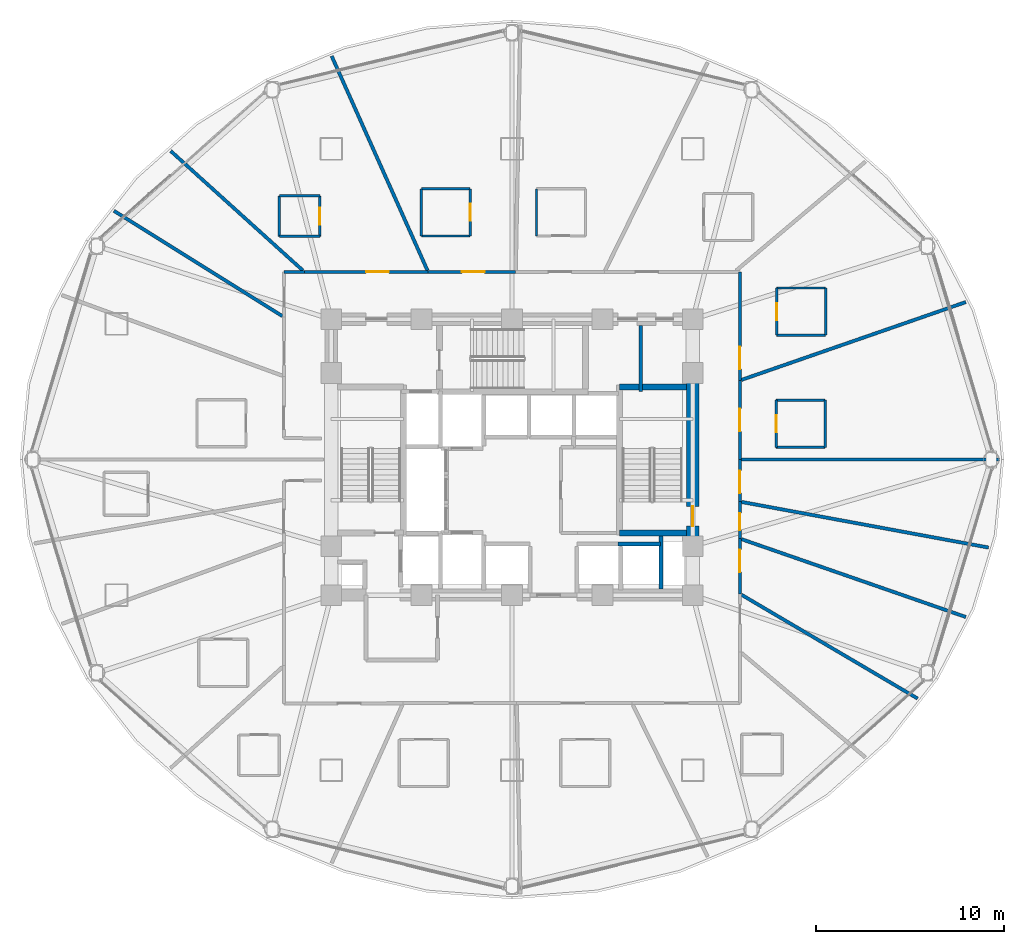
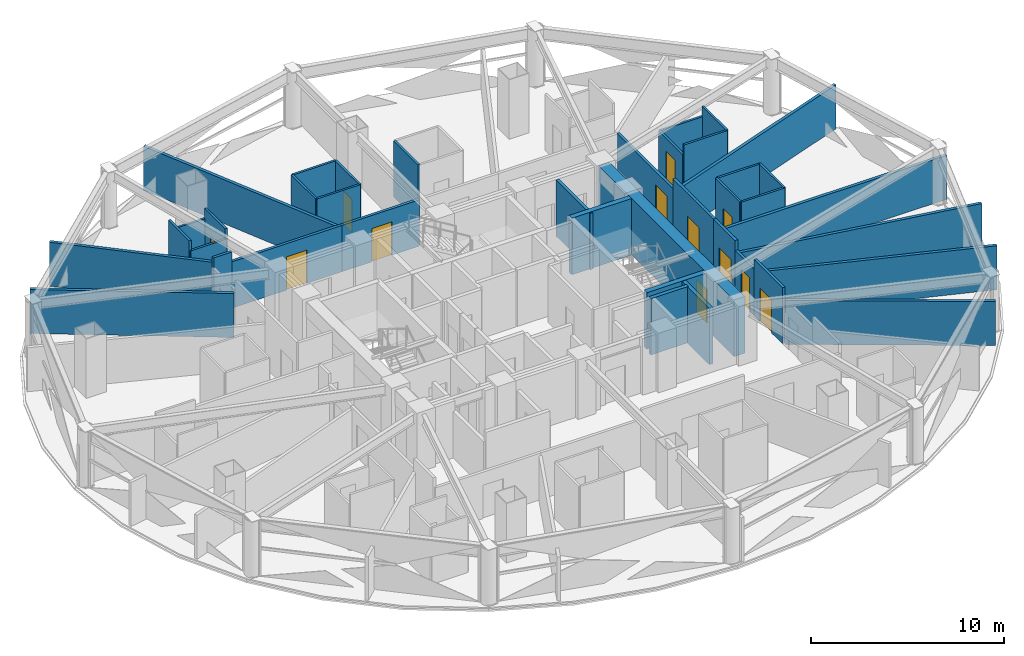
# One storey, part 26 of 31: 39 walls, 12 doors, 12 openings.
"""IFC4 building model written with IfcOpenShell, lengths in metres."""

import ifcopenshell
import ifcopenshell.guid

model = None  # the IFC model being written
_history = None  # IfcOwnerHistory: only IFC2X3 demands one
_inside = {}  # id of a spatial element -> (the spatial element, [elements in it])
_under = {}  # id of a project, library or spatial element -> (it, [spatial elements below it])
_declared = {}  # id of a project -> (the project, [libraries it declares])
_typed = {}  # id of a type object -> (the type object, [elements of that type])
_made_of = {}  # id of a material, layer set ... -> (it, [elements and type objects made of it])


def new_model(schema):
    """Start an empty IFC model of exactly this schema.

    Asked for "IFC4X3", IfcOpenShell would pick the latest addendum, in which some entities
    have other attributes; the version numbers below select the first issue.
    IFC2X3 requires an IfcOwnerHistory on every rooted entity: one is made here for all.
    """
    global model, _history
    if schema == "IFC4X3":
        model = ifcopenshell.file(schema_version=(4, 3, 0, 0))
    else:
        model = ifcopenshell.file(schema=schema)
    _inside.clear()
    _under.clear()
    _declared.clear()
    _typed.clear()
    _made_of.clear()
    _history = None
    if model.schema == "IFC2X3":
        org = make("IfcOrganization", Name="unknown")
        user = make(
            "IfcPersonAndOrganization",
            ThePerson=make("IfcPerson", FamilyName="unknown"),
            TheOrganization=org,
        )
        app = make(
            "IfcApplication",
            ApplicationDeveloper=org,
            Version="unknown",
            ApplicationFullName="unknown",
            ApplicationIdentifier="unknown",
        )
        _history = make(
            "IfcOwnerHistory",
            OwningUser=user,
            OwningApplication=app,
            ChangeAction="ADDED",
            CreationDate=0,
        )
    return model


def make(cls, **values):
    """One entity of the class cls with the attributes given. An attribute that is None is left unset."""
    return model.create_entity(
        cls, **{name: value for name, value in values.items() if value is not None}
    )


def rooted(cls, **values):
    """An entity with a GlobalId (a new one), such as an element, a storey or a relation."""
    return make(cls, GlobalId=ifcopenshell.guid.new(), OwnerHistory=_history, **values)


def si_unit(unit_type, name, prefix=None):
    """IfcSIUnit, for example si_unit("LENGTHUNIT", "METRE", prefix="MILLI")."""
    return make("IfcSIUnit", UnitType=unit_type, Prefix=prefix, Name=name)


def assignment(units):
    """IfcUnitAssignment: the units of a project."""
    return None if units is None else make("IfcUnitAssignment", Units=units)


def point(xyz):
    """IfcCartesianPoint."""
    return None if xyz is None else make("IfcCartesianPoint", Coordinates=xyz)


def direction(xyz):
    """IfcDirection."""
    return None if xyz is None else make("IfcDirection", DirectionRatios=xyz)


def frame(location, z_axis=None, x_axis=None):
    """IfcAxis2Placement3D, a coordinate frame: its origin and axes. An axis left out is left unset."""
    return make(
        "IfcAxis2Placement3D",
        Location=point(location),
        Axis=direction(z_axis),
        RefDirection=direction(x_axis),
    )


def frame_2d(location, x_axis=None):
    """IfcAxis2Placement2D, a coordinate frame in the plane: its origin and x axis."""
    return make(
        "IfcAxis2Placement2D", Location=point(location), RefDirection=direction(x_axis)
    )


def origin():
    """The frame at (0, 0, 0) with its axes left unset."""
    return frame((0.0, 0.0, 0.0))


def place(relative_to, where):
    """IfcLocalPlacement: puts the frame where relative to a parent placement (None: the world)."""
    return make(
        "IfcLocalPlacement", PlacementRelTo=relative_to, RelativePlacement=where
    )


def context(
    kind, dimensions, precision=None, world=None, true_north=None, identifier=None
):
    """IfcGeometricRepresentationContext, for example the 3D "Model" context."""
    return make(
        "IfcGeometricRepresentationContext",
        ContextIdentifier=identifier,
        ContextType=kind,
        CoordinateSpaceDimension=dimensions,
        Precision=precision,
        WorldCoordinateSystem=world,
        TrueNorth=true_north,
    )


def subcontext(parent, identifier, kind, view, scale=None):
    """IfcGeometricRepresentationSubContext, for example "Body" below "Model"."""
    return make(
        "IfcGeometricRepresentationSubContext",
        ContextIdentifier=identifier,
        ContextType=kind,
        ParentContext=parent,
        TargetScale=scale,
        TargetView=view,
    )


def project(units=None, contexts=None):
    """IfcProject with its units and contexts."""
    return rooted(
        "IfcProject",
        Name="project",
        RepresentationContexts=contexts,
        UnitsInContext=assignment(units),
    )


def spatial(cls, under=None, at=None, **own):
    """A site, building, storey or space (cls), placed at a placement, below another one or the project."""
    s = rooted(cls, ObjectPlacement=at, **own)
    if under is not None:
        _under.setdefault(under.id(), (under, []))[1].append(s)
    return s


def profile(cls, at=None, kind="AREA", **sizes):
    """A parametric profile (cls). Its sizes go by their IFC names, for example OverallWidth=200.0."""
    return make(cls, ProfileType=kind, Position=at, **sizes)


def rectangle(**sizes):
    """IfcRectangleProfileDef."""
    return profile("IfcRectangleProfileDef", **sizes)


def extrude(swept, where, along, depth):
    """IfcExtrudedAreaSolid: the profile swept, set in the frame where, extruded along a direction by depth."""
    return make(
        "IfcExtrudedAreaSolid",
        SweptArea=swept,
        Position=where,
        ExtrudedDirection=direction(along),
        Depth=depth,
    )


def shape(context_of_items, identifier, shape_type, items):
    """IfcShapeRepresentation: the items that make up one representation, for example the "Body"."""
    return make(
        "IfcShapeRepresentation",
        ContextOfItems=context_of_items,
        RepresentationIdentifier=identifier,
        RepresentationType=shape_type,
        Items=items,
    )


def material(Name=None, Category=None):
    """IfcMaterial."""
    return make("IfcMaterial", Name=Name, Category=Category)


def layer(
    of_material, thickness, ventilated=None, Name=None, Category=None, Priority=None
):
    """IfcMaterialLayer: one layer of a wall or slab, of a material (None: an air gap)."""
    return make(
        "IfcMaterialLayer",
        Material=of_material,
        LayerThickness=thickness,
        IsVentilated=ventilated,
        Name=Name,
        Category=Category,
        Priority=Priority,
    )


def layer_set(layers, Name=None):
    """IfcMaterialLayerSet."""
    return make("IfcMaterialLayerSet", MaterialLayers=layers, LayerSetName=Name)


def made_of(thing, what):
    """Note that an element or type object is made of a material, layer set ...; save() writes the relation."""
    if what is not None:
        _made_of.setdefault(what.id(), (what, []))[1].append(thing)
    return thing


def type_object(cls, material=None, **own):
    """A type object (cls), such as IfcWallType, which elements share."""
    return made_of(rooted(cls, **own), material)


def element(
    cls,
    number,
    at=None,
    inside=None,
    cuts=None,
    type_object=None,
    material=None,
    context=None,
    identifier="Body",
    shape_type=None,
    held_by="IfcProductDefinitionShape",
    body=None,
    shapes=None,
    **own,
):
    """One element of the class cls, such as IfcWall. Its Tag is "e" and its number.

    at: its placement. inside: the storey or other place that contains it. cuts: it is an
    opening in that element (IfcRelVoidsElement). A single representation is given by context,
    identifier, shape_type and body (its items); several are given by shapes. held_by: the class
    of the entity that holds the representations. save() writes the other relations.
    """
    e = rooted(cls, Tag="e%d" % number, ObjectPlacement=at, **own)
    if body is not None:
        shapes = [shape(context, identifier, shape_type, body)]
    if shapes is not None:
        e.Representation = make(held_by, Representations=shapes)
    if inside is not None:
        _inside.setdefault(inside.id(), (inside, []))[1].append(e)
    if cuts is not None:
        rooted(
            "IfcRelVoidsElement", RelatingBuildingElement=cuts, RelatedOpeningElement=e
        )
    if type_object is not None:
        _typed.setdefault(type_object.id(), (type_object, []))[1].append(e)
    return made_of(e, material)


def fill(opening, filler):
    """IfcRelFillsElement: the door or window that sits in an opening."""
    return rooted(
        "IfcRelFillsElement",
        RelatingOpeningElement=opening,
        RelatedBuildingElement=filler,
    )


def aggregate(whole, parts):
    """IfcRelAggregates: a whole, such as a stair, and the parts it consists of."""
    return rooted("IfcRelAggregates", RelatingObject=whole, RelatedObjects=parts)


def save(model, path):
    """Write the relations noted so far, then the file.

    IfcRelAggregates (storeys below a building ...), IfcRelContainedInSpatialStructure (elements
    in a storey), IfcRelDefinesByType, IfcRelAssociatesMaterial and IfcRelDeclares: one each for
    every whole, place, type object, material and project.
    """
    for whole, parts in _under.values():
        aggregate(whole, parts)
    for where, things in _inside.values():
        rooted(
            "IfcRelContainedInSpatialStructure",
            RelatedElements=things,
            RelatingStructure=where,
        )
    for kind, things in _typed.values():
        rooted("IfcRelDefinesByType", RelatedObjects=things, RelatingType=kind)
    for what, things in _made_of.values():
        rooted("IfcRelAssociatesMaterial", RelatedObjects=things, RelatingMaterial=what)
    for by, libraries in _declared.values():
        rooted("IfcRelDeclares", RelatingContext=by, RelatedDefinitions=libraries)
    model.write(path)


model = new_model("IFC4")

# Units and contexts
model_context = context("Model", 3, precision=1e-05, world=origin(), true_north=direction((0.0, 1.0)))
body_context = subcontext(model_context, "Body", "Model", "MODEL_VIEW")
ifc_project = project(units=[si_unit("LENGTHUNIT", "METRE"), si_unit("AREAUNIT", "SQUARE_METRE"), si_unit("VOLUMEUNIT", "CUBIC_METRE"), si_unit("PLANEANGLEUNIT", "RADIAN"), si_unit("MASSUNIT", "GRAM", prefix="KILO")], contexts=[model_context])

# Site, building, storey
site_placement = place(None, origin())
site = spatial("IfcSite", under=ifc_project, at=site_placement, CompositionType="ELEMENT")
building_placement = place(site_placement, origin())
building = spatial("IfcBuilding", under=site, at=building_placement, Name="Vantalir Tower", CompositionType="ELEMENT")
storey_placement = place(building_placement, frame((0.0, 0.0, 30.75)))
storey = spatial("IfcBuildingStorey", under=building, at=storey_placement, Name="L06", CompositionType="ELEMENT", Elevation=30.75)

# Walls
ifc_material_1 = material(Name="Moisture-resistant en-suite partition", Category="gypsum")
ifc_layer_1 = layer(ifc_material_1, 0.125)
ifc_layer_set_1 = layer_set([ifc_layer_1], Name="Moisture-resistant en-suite partition")
wall_type_1 = type_object("IfcWallType", Name="WL-BATH-125", PredefinedType="PARTITIONING", material=ifc_layer_set_1)
for number, where, z_axis, x_axis, name in (
    (1, (45.527099609375, 25.652099609375, 0.0), (0.0, 0.0, 1.0), (1.0, 0.0, 0.0), "L06 En-suite 01 South Wall"),
    (2, (45.527099609375, 28.152099609375, 0.0), (0.0, 0.0, 1.0), (1.0, 0.0, 0.0), "L06 En-suite 01 North Wall"),
):
    element("IfcWall", number, at=place(storey_placement, frame(where, z_axis=z_axis, x_axis=x_axis)), inside=storey, type_object=wall_type_1, Name=name, PredefinedType="PARTITIONING", context=body_context, shape_type="SweptSolid", body=[
        extrude(rectangle(XDim=2.599853515625, YDim=0.125, at=frame_2d((1.2998046875, 0.0))), origin(), (0.0, 0.0, 1.0), 3.550048828125),
    ])

# Wall, opening, door
wall_1_placement = place(storey_placement, frame((45.527099609375, 25.652099609375, 0.0), z_axis=(0.0, 0.0, 1.0), x_axis=(0.0, 1.0, 0.0)))
wall_1 = element("IfcWall", 3, at=wall_1_placement, inside=storey, type_object=wall_type_1, Name="L06 En-suite 01 West Wall", PredefinedType="PARTITIONING", context=body_context, shape_type="SweptSolid", body=[
    extrude(rectangle(XDim=2.5, YDim=0.125, at=frame_2d((1.25, 0.0))), origin(), (0.0, 0.0, 1.0), 3.550048828125),
])
opening_1_placement = place(wall_1_placement, frame((0.800048828125, 0.0, 0.0)))
opening_1 = element("IfcOpeningElement", 4, at=opening_1_placement, cuts=wall_1, Name="Opening D-WC", PredefinedType="OPENING", context=body_context, shape_type="SweptSolid", body=[
    extrude(rectangle(XDim=0.89990234375, YDim=2.10009765625, at=frame_2d((0.449951171875, 1.050048828125))), frame((0.0, 0.072509765625, 0.0), z_axis=(0.0, -1.0, 0.0), x_axis=(1.0, 0.0, 0.0)), (0.0, 0.0, 1.0), 0.14501953125),
])
ifc_material_2 = material(Name="Moisture-resistant hardwood door", Category="wood")
door_type_1 = type_object("IfcDoorType", Name="DR-ENSUITE-900", OperationType="NOTDEFINED", PredefinedType="DOOR", material=ifc_material_2)
door_1_placement = place(opening_1_placement, frame((0.89990234375, 0.0, 0.0), z_axis=(0.0, 0.0, 1.0), x_axis=(-1.0, 0.0, 0.0)))
door_1 = element("IfcDoor", 5, at=door_1_placement, inside=storey, type_object=door_type_1, Name="L06 En-suite 01 Door", OperationType="SINGLE_SWING_RIGHT", OverallHeight=2.10009765625, OverallWidth=0.89990234375, PredefinedType="DOOR", context=body_context, shape_type="SweptSolid", body=[
    extrude(rectangle(XDim=0.89990234375, YDim=2.10009765625, at=frame_2d((0.449951171875, 1.050048828125))), frame((0.0, 0.02490234375, 0.0), z_axis=(0.0, -1.0, 0.0), x_axis=(1.0, 0.0, 0.0)), (0.0, 0.0, 1.0), 0.050048828125),
])
fill(opening_1, door_1)

# Walls
wall_2_placement = place(storey_placement, frame((48.126953125, 25.652099609375, 0.0), z_axis=(0.0, 0.0, 1.0), x_axis=(0.0, 1.0, 0.0)))
element("IfcWall", 6, at=wall_2_placement, inside=storey, type_object=wall_type_1, Name="L06 En-suite 01 East Wall", PredefinedType="PARTITIONING", context=body_context, shape_type="SweptSolid", body=[
    extrude(rectangle(XDim=2.5, YDim=0.125, at=frame_2d((1.25, 0.0))), origin(), (0.0, 0.0, 1.0), 3.550048828125),
])
wall_3_placement = place(storey_placement, frame((45.552978515625, 31.60693359375, 0.0), z_axis=(0.0, 0.0, 1.0), x_axis=(1.0, 0.0, 0.0)))
element("IfcWall", 7, at=wall_3_placement, inside=storey, type_object=wall_type_1, Name="L06 En-suite 02 South Wall", PredefinedType="PARTITIONING", context=body_context, shape_type="SweptSolid", body=[
    extrude(rectangle(XDim=2.60009765625, YDim=0.125, at=frame_2d((1.300048828125, 0.0))), origin(), (0.0, 0.0, 1.0), 3.550048828125),
])
wall_4_placement = place(storey_placement, frame((45.552978515625, 34.10693359375, 0.0), z_axis=(0.0, 0.0, 1.0), x_axis=(1.0, 0.0, 0.0)))
element("IfcWall", 8, at=wall_4_placement, inside=storey, type_object=wall_type_1, Name="L06 En-suite 02 North Wall", PredefinedType="PARTITIONING", context=body_context, shape_type="SweptSolid", body=[
    extrude(rectangle(XDim=2.60009765625, YDim=0.125, at=frame_2d((1.300048828125, 0.0))), origin(), (0.0, 0.0, 1.0), 2.927978515625),
])

# Wall, opening, door
wall_5_placement = place(storey_placement, frame((45.552978515625, 31.60693359375, 0.0), z_axis=(0.0, 0.0, 1.0), x_axis=(0.0, 1.0, 0.0)))
wall_5 = element("IfcWall", 9, at=wall_5_placement, inside=storey, type_object=wall_type_1, Name="L06 En-suite 02 West Wall", PredefinedType="PARTITIONING", context=body_context, shape_type="SweptSolid", body=[
    extrude(rectangle(XDim=2.5, YDim=0.125, at=frame_2d((1.25, 0.0))), origin(), (0.0, 0.0, 1.0), 2.927978515625),
])
opening_2_placement = place(wall_5_placement, frame((0.800048828125, 0.0, 0.0)))
opening_2 = element("IfcOpeningElement", 10, at=opening_2_placement, cuts=wall_5, Name="Opening D-WC", PredefinedType="OPENING", context=body_context, shape_type="SweptSolid", body=[
    extrude(rectangle(XDim=0.89990234375, YDim=2.10009765625, at=frame_2d((0.449951171875, 1.050048828125))), frame((0.0, 0.072509765625, 0.0), z_axis=(0.0, -1.0, 0.0), x_axis=(1.0, 0.0, 0.0)), (0.0, 0.0, 1.0), 0.14501953125),
])
door_2_placement = place(opening_2_placement, frame((0.89990234375, 0.0, 0.0), z_axis=(0.0, 0.0, 1.0), x_axis=(-1.0, 0.0, 0.0)))
door_2 = element("IfcDoor", 11, at=door_2_placement, inside=storey, type_object=door_type_1, Name="L06 En-suite 02 Door", OperationType="SINGLE_SWING_LEFT", OverallHeight=2.10009765625, OverallWidth=0.89990234375, PredefinedType="DOOR", context=body_context, shape_type="SweptSolid", body=[
    extrude(rectangle(XDim=0.89990234375, YDim=2.10009765625, at=frame_2d((0.449951171875, 1.050048828125))), frame((0.0, 0.02490234375, 0.0), z_axis=(0.0, -1.0, 0.0), x_axis=(1.0, 0.0, 0.0)), (0.0, 0.0, 1.0), 0.050048828125),
])
fill(opening_2, door_2)

# Walls
for number, where, z_axis, x_axis, name in (
    (12, (48.153076171875, 31.60693359375, 0.0), (0.0, 0.0, 1.0), (0.0, 1.0, 0.0), "L06 En-suite 02 East Wall"),
    (13, (32.800048828125, 36.8720703125, 0.0), (0.0, 0.0, 1.0), (0.0, 1.0, 0.0), "L06 En-suite 04 West Wall"),
):
    element("IfcWall", number, at=place(storey_placement, frame(where, z_axis=z_axis, x_axis=x_axis)), inside=storey, type_object=wall_type_1, Name=name, PredefinedType="PARTITIONING", context=body_context, shape_type="SweptSolid", body=[
        extrude(rectangle(XDim=2.5, YDim=0.125, at=frame_2d((1.25, 0.0))), origin(), (0.0, 0.0, 1.0), 3.550048828125),
    ])
for number, where, z_axis, x_axis, name in (
    (14, (26.68310546875, 36.8720703125, 0.0), (0.0, 0.0, 1.0), (1.0, 0.0, 0.0), "L06 En-suite 05 South Wall"),
    (15, (26.68310546875, 39.3720703125, 0.0), (0.0, 0.0, 1.0), (1.0, 0.0, 0.0), "L06 En-suite 05 North Wall"),
):
    element("IfcWall", number, at=place(storey_placement, frame(where, z_axis=z_axis, x_axis=x_axis)), inside=storey, type_object=wall_type_1, Name=name, PredefinedType="PARTITIONING", context=body_context, shape_type="SweptSolid", body=[
        extrude(rectangle(XDim=2.599853515625, YDim=0.125, at=frame_2d((1.2998046875, 0.0))), origin(), (0.0, 0.0, 1.0), 3.550048828125),
    ])
wall_6_placement = place(storey_placement, frame((26.68310546875, 36.8720703125, 0.0), z_axis=(0.0, 0.0, 1.0), x_axis=(0.0, 1.0, 0.0)))
element("IfcWall", 16, at=wall_6_placement, inside=storey, type_object=wall_type_1, Name="L06 En-suite 05 West Wall", PredefinedType="PARTITIONING", context=body_context, shape_type="SweptSolid", body=[
    extrude(rectangle(XDim=2.5, YDim=0.125, at=frame_2d((1.25, 0.0))), origin(), (0.0, 0.0, 1.0), 3.550048828125),
])

# Wall, opening, door
wall_7_placement = place(storey_placement, frame((29.282958984375, 36.8720703125, 0.0), z_axis=(0.0, 0.0, 1.0), x_axis=(0.0, 1.0, 0.0)))
wall_7 = element("IfcWall", 17, at=wall_7_placement, inside=storey, type_object=wall_type_1, Name="L06 En-suite 05 East Wall", PredefinedType="PARTITIONING", context=body_context, shape_type="SweptSolid", body=[
    extrude(rectangle(XDim=2.5, YDim=0.125, at=frame_2d((1.25, 0.0))), origin(), (0.0, 0.0, 1.0), 3.550048828125),
])
opening_3_placement = place(wall_7_placement, frame((0.800048828125, 0.0, 0.0)))
opening_3 = element("IfcOpeningElement", 18, at=opening_3_placement, cuts=wall_7, Name="Opening D-WC", PredefinedType="OPENING", context=body_context, shape_type="SweptSolid", body=[
    extrude(rectangle(XDim=0.89990234375, YDim=2.10009765625, at=frame_2d((0.449951171875, 1.050048828125))), frame((0.0, 0.072509765625, 0.0), z_axis=(0.0, -1.0, 0.0), x_axis=(1.0, 0.0, 0.0)), (0.0, 0.0, 1.0), 0.14501953125),
])
door_3_placement = place(opening_3_placement, origin())
door_3 = element("IfcDoor", 19, at=door_3_placement, inside=storey, type_object=door_type_1, Name="L06 En-suite 05 Door", OperationType="SINGLE_SWING_RIGHT", OverallHeight=2.10009765625, OverallWidth=0.89990234375, PredefinedType="DOOR", context=body_context, shape_type="SweptSolid", body=[
    extrude(rectangle(XDim=0.89990234375, YDim=2.10009765625, at=frame_2d((0.449951171875, 1.050048828125))), frame((0.0, 0.02490234375, 0.0), z_axis=(0.0, -1.0, 0.0), x_axis=(1.0, 0.0, 0.0)), (0.0, 0.0, 1.0), 0.050048828125),
])
fill(opening_3, door_3)

# Walls
for number, where, z_axis, x_axis, name in (
    (20, (19.14208984375, 36.85498046875, 0.0), (0.0, 0.0, 1.0), (1.0, 0.0, 0.0), "L06 En-suite 06 South Wall"),
    (21, (19.14208984375, 39.0048828125, 0.0), (0.0, 0.0, 1.0), (1.0, 0.0, 0.0), "L06 En-suite 06 North Wall"),
):
    element("IfcWall", number, at=place(storey_placement, frame(where, z_axis=z_axis, x_axis=x_axis)), inside=storey, type_object=wall_type_1, Name=name, PredefinedType="PARTITIONING", context=body_context, shape_type="SweptSolid", body=[
        extrude(rectangle(XDim=2.14990234375, YDim=0.125, at=frame_2d((1.074951171875, 0.0))), origin(), (0.0, 0.0, 1.0), 2.927978515625),
    ])
wall_8_placement = place(storey_placement, frame((19.14208984375, 36.85498046875, 0.0), z_axis=(0.0, 0.0, 1.0), x_axis=(0.0, 1.0, 0.0)))
element("IfcWall", 22, at=wall_8_placement, inside=storey, type_object=wall_type_1, Name="L06 En-suite 06 West Wall", PredefinedType="PARTITIONING", context=body_context, shape_type="SweptSolid", body=[
    extrude(rectangle(XDim=2.14990234375, YDim=0.125, at=frame_2d((1.074951171875, 0.0))), origin(), (0.0, 0.0, 1.0), 3.550048828125),
])

# Wall, opening, door
wall_9_placement = place(storey_placement, frame((21.2919921875, 36.85498046875, 0.0), z_axis=(0.0, 0.0, 1.0), x_axis=(0.0, 1.0, 0.0)))
wall_9 = element("IfcWall", 23, at=wall_9_placement, inside=storey, type_object=wall_type_1, Name="L06 En-suite 06 East Wall", PredefinedType="PARTITIONING", context=body_context, shape_type="SweptSolid", body=[
    extrude(rectangle(XDim=2.14990234375, YDim=0.125, at=frame_2d((1.074951171875, 0.0))), origin(), (0.0, 0.0, 1.0), 3.550048828125),
])
opening_4_placement = place(wall_9_placement, frame((0.625, 0.0, 0.0)))
opening_4 = element("IfcOpeningElement", 24, at=opening_4_placement, cuts=wall_9, Name="Opening D-WC", PredefinedType="OPENING", context=body_context, shape_type="SweptSolid", body=[
    extrude(rectangle(XDim=0.89990234375, YDim=2.10009765625, at=frame_2d((0.449951171875, 1.050048828125))), frame((0.0, 0.072509765625, 0.0), z_axis=(0.0, -1.0, 0.0), x_axis=(1.0, 0.0, 0.0)), (0.0, 0.0, 1.0), 0.14501953125),
])
door_4_placement = place(opening_4_placement, origin())
door_4 = element("IfcDoor", 25, at=door_4_placement, inside=storey, type_object=door_type_1, Name="L06 En-suite 06 Door", OperationType="SINGLE_SWING_LEFT", OverallHeight=2.10009765625, OverallWidth=0.89990234375, PredefinedType="DOOR", context=body_context, shape_type="SweptSolid", body=[
    extrude(rectangle(XDim=0.89990234375, YDim=2.10009765625, at=frame_2d((0.449951171875, 1.050048828125))), frame((0.0, 0.02490234375, 0.0), z_axis=(0.0, -1.0, 0.0), x_axis=(1.0, 0.0, 0.0)), (0.0, 0.0, 1.0), 0.050048828125),
])
fill(opening_4, door_4)

ifc_material_3 = material(Name="Concrete C60/75", Category="concrete")
ifc_layer_2 = layer(ifc_material_3, 0.64990234375)
ifc_layer_set_2 = layer_set([ifc_layer_2], Name="Concrete C60/75")
wall_type_2 = type_object("IfcWallType", Name="WL-CORE-650", PredefinedType="SHEAR", material=ifc_layer_set_2)
wall_10_placement = place(storey_placement, frame((41.10009765625, 18.125, 0.0), z_axis=(0.0, 0.0, 1.0), x_axis=(0.0, 1.0, 0.0)))
wall_10 = element("IfcWall", 26, at=wall_10_placement, inside=storey, type_object=wall_type_2, Name="L06 Core Shear Wall East", PredefinedType="SHEAR", context=body_context, shape_type="SweptSolid", body=[
    extrude(rectangle(XDim=14.0, YDim=0.64990234375, at=frame_2d((7.0, 0.0))), origin(), (0.0, 0.0, 1.0), 3.570068359375),
])
opening_5_placement = place(wall_10_placement, frame((3.3349609375, 0.0, 0.0)))
opening_5 = element("IfcOpeningElement", 27, at=opening_5_placement, cuts=wall_10, Name="Opening D-ST", PredefinedType="OPENING", context=body_context, shape_type="SweptSolid", body=[
    extrude(rectangle(XDim=1.050048828125, YDim=2.10009765625, at=frame_2d((0.52490234375, 1.050048828125))), frame((0.0, 0.3349609375, 0.0), z_axis=(0.0, -1.0, 0.0), x_axis=(1.0, 0.0, 0.0)), (0.0, 0.0, 1.0), 0.669921875),
])
ifc_material_4 = material(Name="Fire-rated steel door leaf", Category="steel")
door_type_2 = type_object("IfcDoorType", Name="DR-FIRE-STAIR-1050", OperationType="NOTDEFINED", PredefinedType="DOOR", material=ifc_material_4)
door_5_placement = place(opening_5_placement, origin())
door_5 = element("IfcDoor", 28, at=door_5_placement, inside=storey, type_object=door_type_2, Name="L06 Exit Stair ST2 Fire Door", OperationType="SINGLE_SWING_LEFT", OverallHeight=2.10009765625, OverallWidth=1.050048828125, PredefinedType="DOOR", context=body_context, shape_type="SweptSolid", body=[
    extrude(rectangle(XDim=1.050048828125, YDim=2.10009765625, at=frame_2d((0.52490234375, 1.050048828125))), frame((0.0, 0.02490234375, 0.0), z_axis=(0.0, -1.0, 0.0), x_axis=(1.0, 0.0, 0.0)), (0.0, 0.0, 1.0), 0.050048828125),
])
fill(opening_5, door_5)

# Wall
ifc_material_5 = material(Name="Fire-rated hotel corridor acoustic partition", Category="gypsum")
ifc_layer_3 = layer(ifc_material_5, 0.159912109375)
ifc_layer_set_3 = layer_set([ifc_layer_3], Name="Fire-rated hotel corridor acoustic partition")
wall_type_3 = type_object("IfcWallType", Name="WL-CORR-160", PredefinedType="PARTITIONING", material=ifc_layer_set_3)
wall_11_placement = place(storey_placement, frame((19.406005859375, 34.9599609375, 0.0), z_axis=(0.0, 0.0, 1.0), x_axis=(1.0, 0.0, 0.0)))
element("IfcWall", 29, at=wall_11_placement, inside=storey, type_object=wall_type_3, Name="L06 Corridor Partition 05", PredefinedType="PARTITIONING", context=body_context, shape_type="SweptSolid", body=[
    extrude(rectangle(XDim=1.074951171875, YDim=0.159912109375, at=frame_2d((0.53759765625, 0.0))), origin(), (0.0, 0.0, 1.0), 3.550048828125),
])

# Wall, opening, door
wall_12_placement = place(storey_placement, frame((20.48095703125, 34.9599609375, 0.0), z_axis=(0.0, 0.0, 1.0), x_axis=(1.0, 0.0, 0.0)))
wall_12 = element("IfcWall", 30, at=wall_12_placement, inside=storey, type_object=wall_type_3, Name="L06 Corridor Partition 06", PredefinedType="PARTITIONING", context=body_context, shape_type="SweptSolid", body=[
    extrude(rectangle(XDim=6.567138671875, YDim=0.159912109375, at=frame_2d((3.28369140625, 0.0))), origin(), (0.0, 0.0, 1.0), 2.927978515625),
])
opening_6_placement = place(wall_12_placement, frame((3.277099609375, 0.0, 0.0)))
opening_6 = element("IfcOpeningElement", 31, at=opening_6_placement, cuts=wall_12, Name="Opening D-STE", PredefinedType="OPENING", context=body_context, shape_type="SweptSolid", body=[
    extrude(rectangle(XDim=1.199951171875, YDim=2.10009765625, at=frame_2d((0.60009765625, 1.050048828125))), frame((0.0, 0.08984375, 0.0), z_axis=(0.0, -1.0, 0.0), x_axis=(1.0, 0.0, 0.0)), (0.0, 0.0, 1.0), 0.179931640625),
])
ifc_material_6 = material(Name="Solid-core teak veneer suite entrance door", Category="wood")
door_type_3 = type_object("IfcDoorType", Name="DR-SUITE-ENTRY-1200", OperationType="NOTDEFINED", PredefinedType="DOOR", material=ifc_material_6)
door_6_placement = place(opening_6_placement, origin())
door_6 = element("IfcDoor", 32, at=door_6_placement, inside=storey, type_object=door_type_3, Name="L06 Executive Club Hotel Suite 06 Door", OperationType="SINGLE_SWING_RIGHT", OverallHeight=2.10009765625, OverallWidth=1.199951171875, PredefinedType="DOOR", context=body_context, shape_type="SweptSolid", body=[
    extrude(rectangle(XDim=1.199951171875, YDim=2.10009765625, at=frame_2d((0.60009765625, 1.050048828125))), frame((0.0, 0.02490234375, 0.0), z_axis=(0.0, -1.0, 0.0), x_axis=(1.0, 0.0, 0.0)), (0.0, 0.0, 1.0), 0.050048828125),
])
fill(opening_6, door_6)

wall_13_placement = place(storey_placement, frame((27.048095703125, 34.9599609375, 0.0), z_axis=(0.0, 0.0, 1.0), x_axis=(1.0, 0.0, 0.0)))
wall_13 = element("IfcWall", 33, at=wall_13_placement, inside=storey, type_object=wall_type_3, Name="L06 Corridor Partition 07", PredefinedType="PARTITIONING", context=body_context, shape_type="SweptSolid", body=[
    extrude(rectangle(XDim=4.643798828125, YDim=0.159912109375, at=frame_2d((2.32177734375, 0.0))), origin(), (0.0, 0.0, 1.0), 2.927978515625),
])
opening_7_placement = place(wall_13_placement, frame((1.7958984375, 0.0, 0.0)))
opening_7 = element("IfcOpeningElement", 34, at=opening_7_placement, cuts=wall_13, Name="Opening D-STE", PredefinedType="OPENING", context=body_context, shape_type="SweptSolid", body=[
    extrude(rectangle(XDim=1.199951171875, YDim=2.10009765625, at=frame_2d((0.60009765625, 1.050048828125))), frame((0.0, 0.08984375, 0.0), z_axis=(0.0, -1.0, 0.0), x_axis=(1.0, 0.0, 0.0)), (0.0, 0.0, 1.0), 0.179931640625),
])
door_7_placement = place(opening_7_placement, origin())
door_7 = element("IfcDoor", 35, at=door_7_placement, inside=storey, type_object=door_type_3, Name="L06 Corner Panorama Hotel Suite 05 Door", OperationType="SINGLE_SWING_LEFT", OverallHeight=2.10009765625, OverallWidth=1.199951171875, PredefinedType="DOOR", context=body_context, shape_type="SweptSolid", body=[
    extrude(rectangle(XDim=1.199951171875, YDim=2.10009765625, at=frame_2d((0.60009765625, 1.050048828125))), frame((0.0, 0.02490234375, 0.0), z_axis=(0.0, -1.0, 0.0), x_axis=(1.0, 0.0, 0.0)), (0.0, 0.0, 1.0), 0.050048828125),
])
fill(opening_7, door_7)

wall_14_placement = place(storey_placement, frame((43.593994140625, 34.9599609375, 0.0), z_axis=(0.0, 0.0, 1.0), x_axis=(0.00067793722, -0.999999770201, 0.0)))
wall_14 = element("IfcWall", 36, at=wall_14_placement, inside=storey, type_object=wall_type_3, Name="L06 Corridor Partition 10", PredefinedType="PARTITIONING", context=body_context, shape_type="SweptSolid", body=[
    extrude(rectangle(XDim=5.761962890625, YDim=0.159912109375, at=frame_2d((2.880859375, 0.0))), origin(), (0.0, 0.0, 1.0), 2.927978515625),
])
opening_8_placement = place(wall_14_placement, frame((3.962890625, 0.0, 0.0)))
opening_8 = element("IfcOpeningElement", 37, at=opening_8_placement, cuts=wall_14, Name="Opening D-STE", PredefinedType="OPENING", context=body_context, shape_type="SweptSolid", body=[
    extrude(rectangle(XDim=1.199951171875, YDim=2.10009765625, at=frame_2d((0.60009765625, 1.050048828125))), frame((0.0, 0.08984375, 0.0), z_axis=(0.0, -1.0, 0.0), x_axis=(1.0, 0.0, 0.0)), (0.0, 0.0, 1.0), 0.179931640625),
])
door_8_placement = place(opening_8_placement, origin())
door_8 = element("IfcDoor", 38, at=door_8_placement, inside=storey, type_object=door_type_3, Name="L06 Royal Ambassador Hotel Suite 02 Door", OperationType="SINGLE_SWING_RIGHT", OverallHeight=2.10009765625, OverallWidth=1.199951171875, PredefinedType="DOOR", context=body_context, shape_type="SweptSolid", body=[
    extrude(rectangle(XDim=1.199951171875, YDim=2.10009765625, at=frame_2d((0.60009765625, 1.050048828125))), frame((0.0, 0.02490234375, 0.0), z_axis=(0.0, -1.0, 0.0), x_axis=(1.0, 0.0, 0.0)), (0.0, 0.0, 1.0), 0.050048828125),
])
fill(opening_8, door_8)

wall_15_placement = place(storey_placement, frame((43.597900390625, 29.197998046875, 0.0), z_axis=(0.0, 0.0, 1.0), x_axis=(0.000756033515, -0.999999714207, 0.0)))
wall_15 = element("IfcWall", 39, at=wall_15_placement, inside=storey, type_object=wall_type_3, Name="L06 Corridor Partition 11", PredefinedType="PARTITIONING", context=body_context, shape_type="SweptSolid", body=[
    extrude(rectangle(XDim=4.197998046875, YDim=0.159912109375, at=frame_2d((2.09912109375, 0.0))), origin(), (0.0, 0.0, 1.0), 3.550048828125),
])
opening_9_placement = place(wall_15_placement, frame((1.4990234375, 0.0, 0.0)))
opening_9 = element("IfcOpeningElement", 40, at=opening_9_placement, cuts=wall_15, Name="Opening D-STE", PredefinedType="OPENING", context=body_context, shape_type="SweptSolid", body=[
    extrude(rectangle(XDim=1.199951171875, YDim=2.10009765625, at=frame_2d((0.60009765625, 1.050048828125))), frame((0.0, 0.08984375, 0.0), z_axis=(0.0, -1.0, 0.0), x_axis=(1.0, 0.0, 0.0)), (0.0, 0.0, 1.0), 0.179931640625),
])
door_9_placement = place(opening_9_placement, origin())
door_9 = element("IfcDoor", 41, at=door_9_placement, inside=storey, type_object=door_type_3, Name="L06 Royal Ambassador Hotel Suite 01 Door", OperationType="SINGLE_SWING_LEFT", OverallHeight=2.10009765625, OverallWidth=1.199951171875, PredefinedType="DOOR", context=body_context, shape_type="SweptSolid", body=[
    extrude(rectangle(XDim=1.199951171875, YDim=2.10009765625, at=frame_2d((0.60009765625, 1.050048828125))), frame((0.0, 0.02490234375, 0.0), z_axis=(0.0, -1.0, 0.0), x_axis=(1.0, 0.0, 0.0)), (0.0, 0.0, 1.0), 0.050048828125),
])
fill(opening_9, door_9)

wall_16_placement = place(storey_placement, frame((43.60107421875, 25.0, 0.0), z_axis=(0.0, 0.0, 1.0), x_axis=(0.000873457468, -0.999999618536, 0.0)))
wall_16 = element("IfcWall", 42, at=wall_16_placement, inside=storey, type_object=wall_type_3, Name="L06 Corridor Partition 12", PredefinedType="PARTITIONING", context=body_context, shape_type="SweptSolid", body=[
    extrude(rectangle(XDim=2.236083984375, YDim=0.159912109375, at=frame_2d((1.1181640625, 0.0))), origin(), (0.0, 0.0, 1.0), 3.550048828125),
])
opening_10_placement = place(wall_16_placement, frame((0.590087890625, 0.0, 0.0)))
opening_10 = element("IfcOpeningElement", 43, at=opening_10_placement, cuts=wall_16, Name="Opening D-STE", PredefinedType="OPENING", context=body_context, shape_type="SweptSolid", body=[
    extrude(rectangle(XDim=1.199951171875, YDim=2.10009765625, at=frame_2d((0.60009765625, 1.050048828125))), frame((0.0, 0.08984375, 0.0), z_axis=(0.0, -1.0, 0.0), x_axis=(1.0, 0.0, 0.0)), (0.0, 0.0, 1.0), 0.179931640625),
])
door_10_placement = place(opening_10_placement, origin())
door_10 = element("IfcDoor", 44, at=door_10_placement, inside=storey, type_object=door_type_3, Name="L06 Club Reading Lounge 20 Door", OperationType="SINGLE_SWING_RIGHT", OverallHeight=2.10009765625, OverallWidth=1.199951171875, PredefinedType="DOOR", context=body_context, shape_type="SweptSolid", body=[
    extrude(rectangle(XDim=1.199951171875, YDim=2.10009765625, at=frame_2d((0.60009765625, 1.050048828125))), frame((0.0, 0.02490234375, 0.0), z_axis=(0.0, -1.0, 0.0), x_axis=(1.0, 0.0, 0.0)), (0.0, 0.0, 1.0), 0.050048828125),
])
fill(opening_10, door_10)

wall_17_placement = place(storey_placement, frame((43.60302734375, 22.763916015625, 0.0), z_axis=(0.0, 0.0, 1.0), x_axis=(0.000497264981, -0.999999876364, 0.0)))
wall_17 = element("IfcWall", 45, at=wall_17_placement, inside=storey, type_object=wall_type_3, Name="L06 Corridor Partition 13", PredefinedType="PARTITIONING", context=body_context, shape_type="SweptSolid", body=[
    extrude(rectangle(XDim=1.9638671875, YDim=0.159912109375, at=frame_2d((0.98193359375, 0.0))), origin(), (0.0, 0.0, 1.0), 2.927978515625),
])
opening_11_placement = place(wall_17_placement, frame((0.60595703125, 0.0, 0.0)))
opening_11 = element("IfcOpeningElement", 46, at=opening_11_placement, cuts=wall_17, Name="Opening D-WC", PredefinedType="OPENING", context=body_context, shape_type="SweptSolid", body=[
    extrude(rectangle(XDim=0.89990234375, YDim=2.10009765625, at=frame_2d((0.449951171875, 1.050048828125))), frame((0.0, 0.08984375, 0.0), z_axis=(0.0, -1.0, 0.0), x_axis=(1.0, 0.0, 0.0)), (0.0, 0.0, 1.0), 0.179931640625),
])
door_11_placement = place(opening_11_placement, origin())
door_11 = element("IfcDoor", 47, at=door_11_placement, inside=storey, type_object=door_type_1, Name="L06 Executive Business Study 19 Door", OperationType="SINGLE_SWING_LEFT", OverallHeight=2.10009765625, OverallWidth=0.89990234375, PredefinedType="DOOR", context=body_context, shape_type="SweptSolid", body=[
    extrude(rectangle(XDim=0.89990234375, YDim=2.10009765625, at=frame_2d((0.449951171875, 1.050048828125))), frame((0.0, 0.02490234375, 0.0), z_axis=(0.0, -1.0, 0.0), x_axis=(1.0, 0.0, 0.0)), (0.0, 0.0, 1.0), 0.050048828125),
])
fill(opening_11, door_11)

wall_18_placement = place(storey_placement, frame((43.60400390625, 20.800048828125, 0.0), z_axis=(0.0, 0.0, 1.0), x_axis=(0.000665668017, -0.999999778443, 0.0)))
wall_18 = element("IfcWall", 48, at=wall_18_placement, inside=storey, type_object=wall_type_3, Name="L06 Corridor Partition 14", PredefinedType="PARTITIONING", context=body_context, shape_type="SweptSolid", body=[
    extrude(rectangle(XDim=2.93408203125, YDim=0.159912109375, at=frame_2d((1.467041015625, 0.0))), origin(), (0.0, 0.0, 1.0), 3.550048828125),
])
opening_12_placement = place(wall_18_placement, frame((0.583984375, 0.0, 0.0)))
opening_12 = element("IfcOpeningElement", 49, at=opening_12_placement, cuts=wall_18, Name="Opening D-STE", PredefinedType="OPENING", context=body_context, shape_type="SweptSolid", body=[
    extrude(rectangle(XDim=1.199951171875, YDim=2.10009765625, at=frame_2d((0.60009765625, 1.050048828125))), frame((0.0, 0.08984375, 0.0), z_axis=(0.0, -1.0, 0.0), x_axis=(1.0, 0.0, 0.0)), (0.0, 0.0, 1.0), 0.179931640625),
])
door_12_placement = place(opening_12_placement, origin())
door_12 = element("IfcDoor", 50, at=door_12_placement, inside=storey, type_object=door_type_3, Name="L06 Club Reading Lounge 18 Door", OperationType="SINGLE_SWING_RIGHT", OverallHeight=2.10009765625, OverallWidth=1.199951171875, PredefinedType="DOOR", context=body_context, shape_type="SweptSolid", body=[
    extrude(rectangle(XDim=1.199951171875, YDim=2.10009765625, at=frame_2d((0.60009765625, 1.050048828125))), frame((0.0, 0.02490234375, 0.0), z_axis=(0.0, -1.0, 0.0), x_axis=(1.0, 0.0, 0.0)), (0.0, 0.0, 1.0), 0.050048828125),
])
fill(opening_12, door_12)

# Walls
ifc_material_7 = material(Name="Concrete blockwork with fireboard lining", Category="masonry")
ifc_layer_4 = layer(ifc_material_7, 0.219970703125)
ifc_layer_set_4 = layer_set([ifc_layer_4], Name="Concrete blockwork with fireboard lining")
wall_type_4 = type_object("IfcWallType", Name="WL-FFL-220", PredefinedType="PARTITIONING", material=ifc_layer_set_4)
wall_19_placement = place(storey_placement, frame((39.419921875, 18.125, 0.0), z_axis=(0.0, 0.0, 1.0), x_axis=(0.0, 1.0, 0.0)))
element("IfcWall", 51, at=wall_19_placement, inside=storey, type_object=wall_type_4, Name="L06 East MEP Riser Wall W", PredefinedType="PARTITIONING", context=body_context, shape_type="SweptSolid", body=[
    extrude(rectangle(XDim=2.824951171875, YDim=0.219970703125, at=frame_2d((1.41259765625, 0.0))), origin(), (0.0, 0.0, 1.0), 3.550048828125),
])
wall_20_placement = place(storey_placement, frame((37.139892578125, 20.510009765625, 0.0), z_axis=(0.0, 0.0, 1.0), x_axis=(1.0, 0.0, 0.0)))
element("IfcWall", 52, at=wall_20_placement, inside=storey, type_object=wall_type_4, Name="L06 Lift PL-X2 Shaft Rear Wall", PredefinedType="PARTITIONING", context=body_context, shape_type="SweptSolid", body=[
    extrude(rectangle(XDim=2.239990234375, YDim=0.219970703125, at=frame_2d((1.1201171875, 0.0))), origin(), (0.0, 0.0, 1.0), 3.550048828125),
])
ifc_material_8 = material(Name="Twin-stud acoustic fire-rated gypsum partition", Category="gypsum")
ifc_layer_5 = layer(ifc_material_8, 0.179931640625)
ifc_layer_set_5 = layer_set([ifc_layer_5], Name="Twin-stud acoustic fire-rated gypsum partition")
wall_type_5 = type_object("IfcWallType", Name="WL-GUEST-180", PredefinedType="PARTITIONING", material=ifc_layer_set_5)
wall_21_placement = place(storey_placement, frame((38.340087890625, 28.6201171875, 0.0), z_axis=(0.0, 0.0, 1.0), x_axis=(0.0, 1.0, 0.0)))
element("IfcWall", 53, at=wall_21_placement, inside=storey, type_object=wall_type_5, Name="L06 High-Rise Lift Lobby East Wall", PredefinedType="PARTITIONING", context=body_context, shape_type="SweptSolid", body=[
    extrude(rectangle(XDim=3.5048828125, YDim=0.179931640625, at=frame_2d((1.75244140625, 0.0))), origin(), (0.0, 0.0, 1.0), 3.550048828125),
])
wall_22_placement = place(storey_placement, frame((43.68994140625, 25.0, 0.0), z_axis=(0.0, 0.0, 1.0), x_axis=(1.0, 0.0, 0.0)))
element("IfcWall", 54, at=wall_22_placement, inside=storey, type_object=wall_type_5, Name="L06 Radial Suite Partition 01", PredefinedType="PARTITIONING", context=body_context, shape_type="SweptSolid", body=[
    extrude(rectangle(XDim=13.708984375, YDim=0.179931640625, at=frame_2d((6.8544921875, 0.0))), origin(), (0.0, 0.0, 1.0), 2.77490234375),
])
wall_23_placement = place(storey_placement, frame((43.68994140625, 29.22998046875, 0.0), z_axis=(0.0, 0.0, 1.0), x_axis=(0.944748655828, 0.327795633454, 0.0)))
element("IfcWall", 55, at=wall_23_placement, inside=storey, type_object=wall_type_5, Name="L06 Radial Suite Partition 02", PredefinedType="PARTITIONING", context=body_context, shape_type="SweptSolid", body=[
    extrude(rectangle(XDim=12.605712890625, YDim=0.179931640625, at=frame_2d((6.302734375, 0.0))), origin(), (0.0, 0.0, 1.0), 2.77490234375),
])
wall_24_placement = place(storey_placement, frame((27.011962890625, 35.0400390625, 0.0), z_axis=(0.0, 0.0, 1.0), x_axis=(-0.408027237048, 0.912969755155, 0.0)))
element("IfcWall", 56, at=wall_24_placement, inside=storey, type_object=wall_type_5, Name="L06 Radial Suite Partition 06", PredefinedType="PARTITIONING", context=body_context, shape_type="SweptSolid", body=[
    extrude(rectangle(XDim=12.467041015625, YDim=0.179931640625, at=frame_2d((6.2333984375, 0.0))), origin(), (0.0, 0.0, 1.0), 2.77490234375),
])
wall_25_placement = place(storey_placement, frame((20.39306640625, 35.0400390625, 0.0), z_axis=(0.0, 0.0, 1.0), x_axis=(-0.741824807196, 0.670593733514, 0.0)))
element("IfcWall", 57, at=wall_25_placement, inside=storey, type_object=wall_type_5, Name="L06 Radial Suite Partition 07", PredefinedType="PARTITIONING", context=body_context, shape_type="SweptSolid", body=[
    extrude(rectangle(XDim=9.463134765625, YDim=0.179931640625, at=frame_2d((4.7314453125, 0.0))), origin(), (0.0, 0.0, 1.0), 2.77490234375),
])
wall_26_placement = place(storey_placement, frame((19.31005859375, 32.614990234375, 0.0), z_axis=(0.0, 0.0, 1.0), x_axis=(-0.84807500086, 0.529876205274, 0.0)))
element("IfcWall", 58, at=wall_26_placement, inside=storey, type_object=wall_type_5, Name="L06 Radial Suite Partition 08", PredefinedType="PARTITIONING", context=body_context, shape_type="SweptSolid", body=[
    extrude(rectangle(XDim=10.5498046875, YDim=0.179931640625, at=frame_2d((5.27490234375, 0.0))), origin(), (0.0, 0.0, 1.0), 2.77490234375),
])
wall_27_placement = place(storey_placement, frame((43.68994140625, 17.81689453125, 0.0), z_axis=(0.0, 0.0, 1.0), x_axis=(0.861559196755, -0.507657119015, 0.0)))
element("IfcWall", 59, at=wall_27_placement, inside=storey, type_object=wall_type_5, Name="L06 Radial Suite Partition 18", PredefinedType="PARTITIONING", context=body_context, shape_type="SweptSolid", body=[
    extrude(rectangle(XDim=10.851318359375, YDim=0.179931640625, at=frame_2d((5.42578125, 0.0))), origin(), (0.0, 0.0, 1.0), 2.77490234375),
])
wall_28_placement = place(storey_placement, frame((43.68994140625, 20.77001953125, 0.0), z_axis=(0.0, 0.0, 1.0), x_axis=(0.944748655828, -0.327795633454, 0.0)))
element("IfcWall", 60, at=wall_28_placement, inside=storey, type_object=wall_type_5, Name="L06 Radial Suite Partition 19", PredefinedType="PARTITIONING", context=body_context, shape_type="SweptSolid", body=[
    extrude(rectangle(XDim=12.605712890625, YDim=0.179931640625, at=frame_2d((6.302734375, 0.0))), origin(), (0.0, 0.0, 1.0), 2.77490234375),
])
wall_29_placement = place(storey_placement, frame((43.68994140625, 22.748046875, 0.0), z_axis=(0.0, 0.0, 1.0), x_axis=(0.983362015537, -0.18165667177, 0.0)))
element("IfcWall", 61, at=wall_29_placement, inside=storey, type_object=wall_type_5, Name="L06 Radial Suite Partition 20", PredefinedType="PARTITIONING", context=body_context, shape_type="SweptSolid", body=[
    extrude(rectangle(XDim=13.3388671875, YDim=0.179931640625, at=frame_2d((6.66943359375, 0.0))), origin(), (0.0, 0.0, 1.0), 2.77490234375),
])
ifc_material_9 = material(Name="Concrete C50/60", Category="concrete")
ifc_layer_6 = layer(ifc_material_9, 0.300048828125)
ifc_layer_set_6 = layer_set([ifc_layer_6], Name="Concrete C50/60")
wall_type_6 = type_object("IfcWallType", Name="WL-STAIR-300", PredefinedType="SHEAR", material=ifc_layer_set_6)
for number, where, z_axis, x_axis, name in (
    (62, (37.2099609375, 21.10009765625, 0.0), (0.0, 0.0, 1.0), (1.0, 0.0, 0.0), "L06 Stair ST2 South Wall"),
    (63, (37.2099609375, 28.85009765625, 0.0), (0.0, 0.0, 1.0), (1.0, 0.0, 0.0), "L06 Stair ST2 North Wall"),
):
    element("IfcWall", number, at=place(storey_placement, frame(where, z_axis=z_axis, x_axis=x_axis)), inside=storey, type_object=wall_type_6, Name=name, PredefinedType="SHEAR", context=body_context, shape_type="SweptSolid", body=[
        extrude(rectangle(XDim=3.56494140625, YDim=0.300048828125, at=frame_2d((1.782470703125, 0.0))), origin(), (0.0, 0.0, 1.0), 3.570068359375),
    ])

save(model, "model.ifc")
